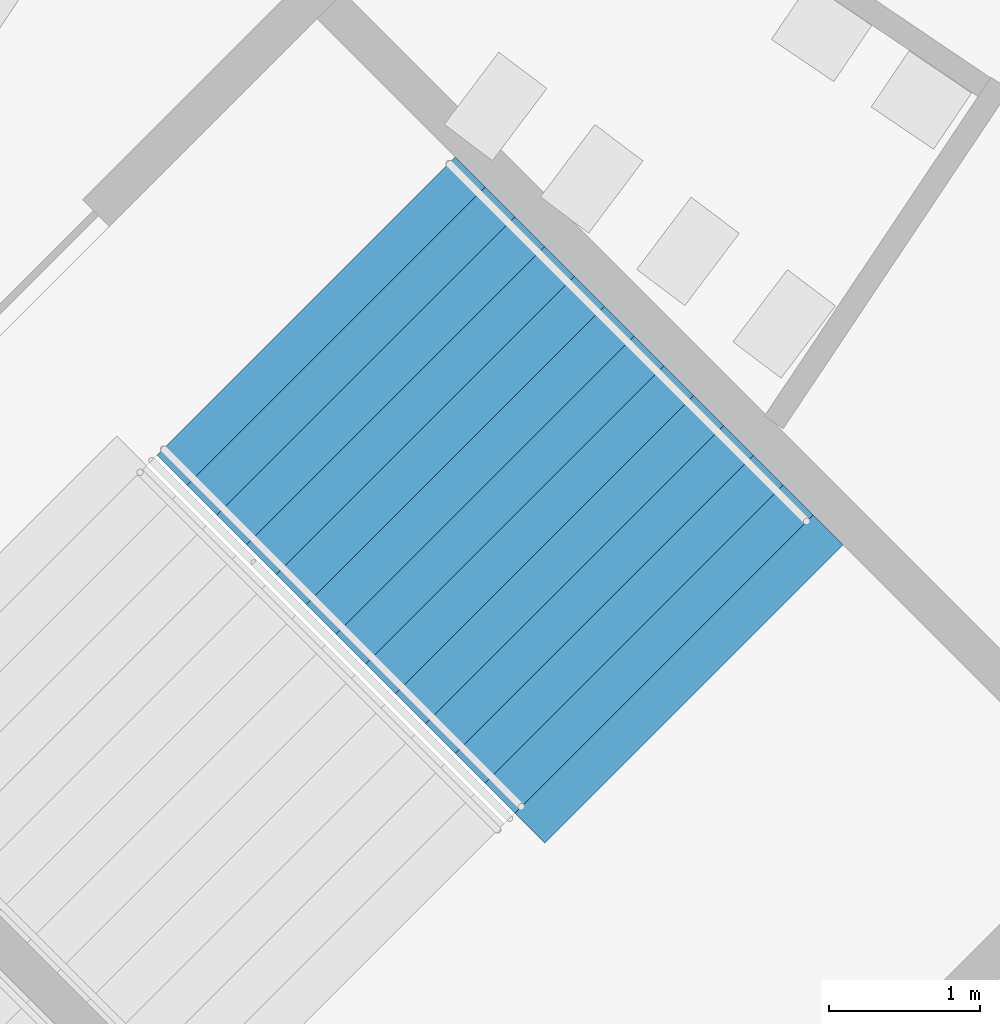
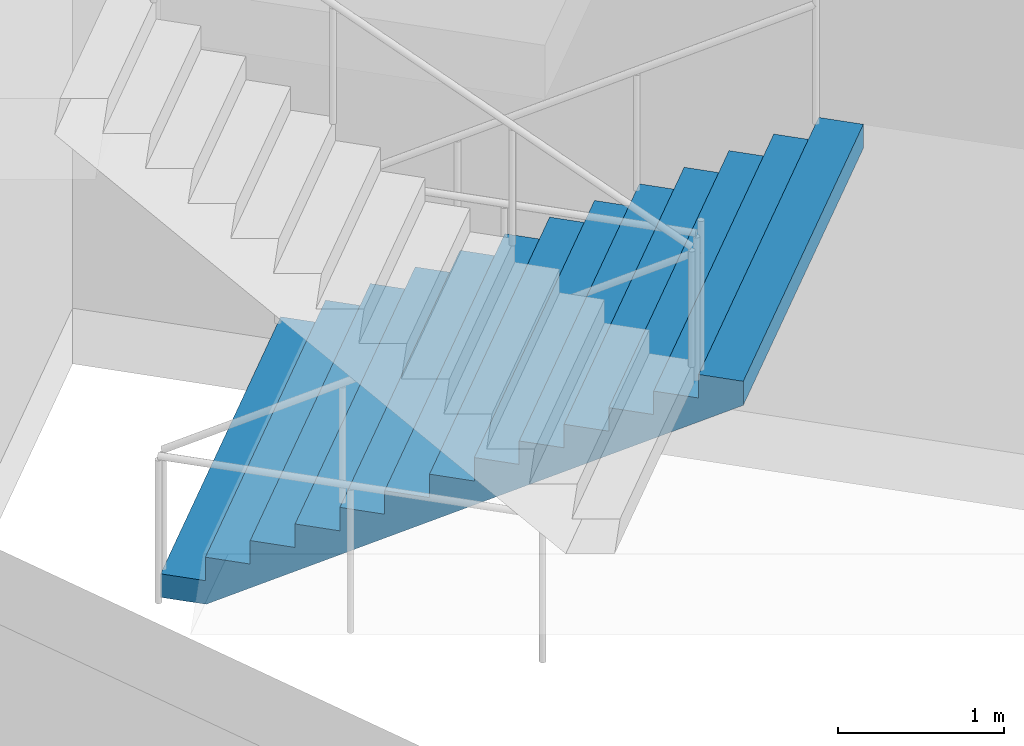
# One storey, part 118 of 177: 1 stair flight, 1 element without a shape of its own.
"""IFC4 building model written with IfcOpenShell, lengths in metres."""

from ifc_helpers import new_model, si_unit, direction, frame, origin, place, context, subcontext, project, spatial, faceted_brep, material, type_object, element, aggregate, save


model = new_model("IFC4")

# Units and contexts
model_context = context("Model", 3, precision=1e-05, world=origin(), true_north=direction((0.0, 1.0)))
body_context = subcontext(model_context, "Body", "Model", "MODEL_VIEW")
ifc_project = project(units=[si_unit("LENGTHUNIT", "METRE"), si_unit("AREAUNIT", "SQUARE_METRE"), si_unit("VOLUMEUNIT", "CUBIC_METRE"), si_unit("PLANEANGLEUNIT", "RADIAN"), si_unit("MASSUNIT", "GRAM", prefix="KILO")], contexts=[model_context])

# Site, building, storey
site_placement = place(None, origin())
site = spatial("IfcSite", under=ifc_project, at=site_placement, CompositionType="ELEMENT")
building_placement = place(site_placement, origin())
building = spatial("IfcBuilding", under=site, at=building_placement, Name="Ogive Plaza Stadium", CompositionType="ELEMENT")
storey_placement = place(building_placement, frame((0.0, 0.0, 18.0)))
storey = spatial("IfcBuildingStorey", under=building, at=storey_placement, Name="L04", CompositionType="ELEMENT", Elevation=18.0)

# Stair, stair flight
ifc_material_1 = material(Name="Concrete C40/50", Category="concrete")
stair_type = type_object("IfcStairType", Name="Exit stair", PredefinedType="STRAIGHT_RUN_STAIR", material=ifc_material_1)
stair_placement = place(storey_placement, origin())
stair = element("IfcStair", 1, at=stair_placement, inside=storey, type_object=stair_type, Name="Exit stair ST10B L04 to L05", PredefinedType="STRAIGHT_RUN_STAIR")
ifc_material_2 = material(Name="Concrete C40/50", Category="concrete")
stair_flight_type = type_object("IfcStairFlightType", Name="Exit stair flight", PredefinedType="STRAIGHT", material=ifc_material_2)
stair_flight_placement = place(storey_placement, frame((67.074951171875, -79.317138671875, 0.0), z_axis=(0.0, 0.0, 1.0), x_axis=(0.707106781187, -0.707106781187, 0.0)))
stair_flight = element("IfcStairFlight", 2, at=stair_flight_placement, type_object=stair_flight_type, Name="ST10B flight 1", NumberOfRisers=13, NumberOfTreads=12, PredefinedType="STRAIGHT", RiserHeight=0.173076923, TreadLength=0.28, context=body_context, shape_type="Brep", body=[
    faceted_brep([(0.28515625, -1.39990234375, 0.0), (3.639892578125, -1.39990234375, 2.07373046875), (3.639892578125, -1.39990234375, 2.25), (3.360107421875, -1.39990234375, 2.25), (3.360107421875, -1.39990234375, 2.076904296875), (3.080078125, -1.39990234375, 2.076904296875), (3.080078125, -1.39990234375, 1.90380859375), (2.800048828125, -1.39990234375, 1.90380859375), (2.800048828125, -1.39990234375, 1.730712890625), (2.52001953125, -1.39990234375, 1.730712890625), (2.52001953125, -1.39990234375, 1.5576171875), (2.239990234375, -1.39990234375, 1.5576171875), (2.239990234375, -1.39990234375, 1.384521484375), (1.9599609375, -1.39990234375, 1.384521484375), (1.9599609375, -1.39990234375, 1.21142578125), (1.679931640625, -1.39990234375, 1.21142578125), (1.679931640625, -1.39990234375, 1.03857421875), (1.39990234375, -1.39990234375, 1.03857421875), (1.39990234375, -1.39990234375, 0.865478515625), (1.1201171875, -1.39990234375, 0.865478515625), (1.1201171875, -1.39990234375, 0.6923828125), (0.840087890625, -1.39990234375, 0.6923828125), (0.840087890625, -1.39990234375, 0.519287109375), (0.56005859375, -1.39990234375, 0.519287109375), (0.56005859375, -1.39990234375, 0.34619140625), (0.280029296875, -1.39990234375, 0.34619140625), (0.280029296875, -1.39990234375, 0.173095703125), (0.0, -1.39990234375, 0.173095703125), (0.0, -1.39990234375, 0.0), (0.0, 1.39990234375, 0.0), (0.0, 1.39990234375, 0.173095703125), (0.280029296875, 1.39990234375, 0.173095703125), (0.280029296875, 1.39990234375, 0.34619140625), (0.56005859375, 1.39990234375, 0.34619140625), (0.56005859375, 1.39990234375, 0.519287109375), (0.840087890625, 1.39990234375, 0.519287109375), (0.840087890625, 1.39990234375, 0.6923828125), (1.1201171875, 1.39990234375, 0.6923828125), (1.1201171875, 1.39990234375, 0.865478515625), (1.39990234375, 1.39990234375, 0.865478515625), (1.39990234375, 1.39990234375, 1.03857421875), (1.679931640625, 1.39990234375, 1.03857421875), (1.679931640625, 1.39990234375, 1.21142578125), (1.9599609375, 1.39990234375, 1.21142578125), (1.9599609375, 1.39990234375, 1.384521484375), (2.239990234375, 1.39990234375, 1.384521484375), (2.239990234375, 1.39990234375, 1.5576171875), (2.52001953125, 1.39990234375, 1.5576171875), (2.52001953125, 1.39990234375, 1.730712890625), (2.800048828125, 1.39990234375, 1.730712890625), (2.800048828125, 1.39990234375, 1.90380859375), (3.080078125, 1.39990234375, 1.90380859375), (3.080078125, 1.39990234375, 2.076904296875), (3.360107421875, 1.39990234375, 2.076904296875), (3.360107421875, 1.39990234375, 2.25), (3.639892578125, 1.39990234375, 2.25), (3.639892578125, 1.39990234375, 2.07373046875), (0.28515625, 1.39990234375, 0.0), (0.28515625, -1.0888671875, 0.0), (3.639892578125, -1.0888671875, 2.07373046875), (0.28515625, -0.77783203125, 0.0), (3.639892578125, -0.77783203125, 2.07373046875), (0.28515625, -0.466796875, 0.0), (3.639892578125, -0.466796875, 2.07373046875), (0.28515625, -0.155517578125, 0.0), (3.639892578125, -0.155517578125, 2.07373046875), (0.28515625, 0.155517578125, 0.0), (3.639892578125, 0.155517578125, 2.07373046875), (0.28515625, 0.466796875, 0.0), (3.639892578125, 0.466796875, 2.07373046875), (0.28515625, 0.77783203125, 0.0), (3.639892578125, 0.77783203125, 2.07373046875), (0.28515625, 1.0888671875, 0.0), (3.639892578125, 1.0888671875, 2.07373046875), (3.639892578125, -1.0888671875, 2.25), (3.639892578125, -0.77783203125, 2.25), (3.639892578125, -0.466796875, 2.25), (3.639892578125, -0.155517578125, 2.25), (3.639892578125, 0.155517578125, 2.25), (3.639892578125, 0.466796875, 2.25), (3.639892578125, 0.77783203125, 2.25), (3.639892578125, 1.0888671875, 2.25), (3.360107421875, -1.0888671875, 2.25), (3.360107421875, -0.77783203125, 2.25), (3.360107421875, -0.466796875, 2.25), (3.360107421875, -0.155517578125, 2.25), (3.360107421875, 0.155517578125, 2.25), (3.360107421875, 0.466796875, 2.25), (3.360107421875, 0.77783203125, 2.25), (3.360107421875, 1.0888671875, 2.25), (3.360107421875, -1.0888671875, 2.076904296875), (3.360107421875, -0.77783203125, 2.076904296875), (3.360107421875, -0.466796875, 2.076904296875), (3.360107421875, -0.155517578125, 2.076904296875), (3.360107421875, 0.155517578125, 2.076904296875), (3.360107421875, 0.466796875, 2.076904296875), (3.360107421875, 0.77783203125, 2.076904296875), (3.360107421875, 1.0888671875, 2.076904296875), (3.080078125, -1.0888671875, 2.076904296875), (3.080078125, -0.77783203125, 2.076904296875), (3.080078125, -0.466796875, 2.076904296875), (3.080078125, -0.155517578125, 2.076904296875), (3.080078125, 0.155517578125, 2.076904296875), (3.080078125, 0.466796875, 2.076904296875), (3.080078125, 0.77783203125, 2.076904296875), (3.080078125, 1.0888671875, 2.076904296875), (3.080078125, -1.0888671875, 1.90380859375), (3.080078125, -0.77783203125, 1.90380859375), (3.080078125, -0.466796875, 1.90380859375), (3.080078125, -0.155517578125, 1.90380859375), (3.080078125, 0.155517578125, 1.90380859375), (3.080078125, 0.466796875, 1.90380859375), (3.080078125, 0.77783203125, 1.90380859375), (3.080078125, 1.0888671875, 1.90380859375), (2.800048828125, -1.0888671875, 1.90380859375), (2.800048828125, -0.77783203125, 1.90380859375), (2.800048828125, -0.466796875, 1.90380859375), (2.800048828125, -0.155517578125, 1.90380859375), (2.800048828125, 0.155517578125, 1.90380859375), (2.800048828125, 0.466796875, 1.90380859375), (2.800048828125, 0.77783203125, 1.90380859375), (2.800048828125, 1.0888671875, 1.90380859375), (2.800048828125, -1.0888671875, 1.730712890625), (2.800048828125, -0.77783203125, 1.730712890625), (2.800048828125, -0.466796875, 1.730712890625), (2.800048828125, -0.155517578125, 1.730712890625), (2.800048828125, 0.155517578125, 1.730712890625), (2.800048828125, 0.466796875, 1.730712890625), (2.800048828125, 0.77783203125, 1.730712890625), (2.800048828125, 1.0888671875, 1.730712890625), (2.52001953125, -1.0888671875, 1.730712890625), (2.52001953125, -0.77783203125, 1.730712890625), (2.52001953125, -0.466796875, 1.730712890625), (2.52001953125, -0.155517578125, 1.730712890625), (2.52001953125, 0.155517578125, 1.730712890625), (2.52001953125, 0.466796875, 1.730712890625), (2.52001953125, 0.77783203125, 1.730712890625), (2.52001953125, 1.0888671875, 1.730712890625), (2.52001953125, -1.0888671875, 1.5576171875), (2.52001953125, -0.77783203125, 1.5576171875), (2.52001953125, -0.466796875, 1.5576171875), (2.52001953125, -0.155517578125, 1.5576171875), (2.52001953125, 0.155517578125, 1.5576171875), (2.52001953125, 0.466796875, 1.5576171875), (2.52001953125, 0.77783203125, 1.5576171875), (2.52001953125, 1.0888671875, 1.5576171875), (2.239990234375, -1.0888671875, 1.5576171875), (2.239990234375, -0.77783203125, 1.5576171875), (2.239990234375, -0.466796875, 1.5576171875), (2.239990234375, -0.155517578125, 1.5576171875), (2.239990234375, 0.155517578125, 1.5576171875), (2.239990234375, 0.466796875, 1.5576171875), (2.239990234375, 0.77783203125, 1.5576171875), (2.239990234375, 1.0888671875, 1.5576171875), (2.239990234375, -1.0888671875, 1.384521484375), (2.239990234375, -0.77783203125, 1.384521484375), (2.239990234375, -0.466796875, 1.384521484375), (2.239990234375, -0.155517578125, 1.384521484375), (2.239990234375, 0.155517578125, 1.384521484375), (2.239990234375, 0.466796875, 1.384521484375), (2.239990234375, 0.77783203125, 1.384521484375), (2.239990234375, 1.0888671875, 1.384521484375), (1.9599609375, -1.0888671875, 1.384521484375), (1.9599609375, -0.77783203125, 1.384521484375), (1.9599609375, -0.466796875, 1.384521484375), (1.9599609375, -0.155517578125, 1.384521484375), (1.9599609375, 0.155517578125, 1.384521484375), (1.9599609375, 0.466796875, 1.384521484375), (1.9599609375, 0.77783203125, 1.384521484375), (1.9599609375, 1.0888671875, 1.384521484375), (1.9599609375, -1.0888671875, 1.21142578125), (1.9599609375, -0.77783203125, 1.21142578125), (1.9599609375, -0.466796875, 1.21142578125), (1.9599609375, -0.155517578125, 1.21142578125), (1.9599609375, 0.155517578125, 1.21142578125), (1.9599609375, 0.466796875, 1.21142578125), (1.9599609375, 0.77783203125, 1.21142578125), (1.9599609375, 1.0888671875, 1.21142578125), (1.679931640625, -1.0888671875, 1.21142578125), (1.679931640625, -0.77783203125, 1.21142578125), (1.679931640625, -0.466796875, 1.21142578125), (1.679931640625, -0.155517578125, 1.21142578125), (1.679931640625, 0.155517578125, 1.21142578125), (1.679931640625, 0.466796875, 1.21142578125), (1.679931640625, 0.77783203125, 1.21142578125), (1.679931640625, 1.0888671875, 1.21142578125), (1.679931640625, -1.0888671875, 1.03857421875), (1.679931640625, -0.77783203125, 1.03857421875), (1.679931640625, -0.466796875, 1.03857421875), (1.679931640625, -0.155517578125, 1.03857421875), (1.679931640625, 0.155517578125, 1.03857421875), (1.679931640625, 0.466796875, 1.03857421875), (1.679931640625, 0.77783203125, 1.03857421875), (1.679931640625, 1.0888671875, 1.03857421875), (1.39990234375, -1.0888671875, 1.03857421875), (1.39990234375, -0.77783203125, 1.03857421875), (1.39990234375, -0.466796875, 1.03857421875), (1.39990234375, -0.155517578125, 1.03857421875), (1.39990234375, 0.155517578125, 1.03857421875), (1.39990234375, 0.466796875, 1.03857421875), (1.39990234375, 0.77783203125, 1.03857421875), (1.39990234375, 1.0888671875, 1.03857421875), (1.39990234375, -1.0888671875, 0.865478515625), (1.39990234375, -0.77783203125, 0.865478515625), (1.39990234375, -0.466796875, 0.865478515625), (1.39990234375, -0.155517578125, 0.865478515625), (1.39990234375, 0.155517578125, 0.865478515625), (1.39990234375, 0.466796875, 0.865478515625), (1.39990234375, 0.77783203125, 0.865478515625), (1.39990234375, 1.0888671875, 0.865478515625), (1.1201171875, -1.0888671875, 0.865478515625), (1.1201171875, -0.77783203125, 0.865478515625), (1.1201171875, -0.466796875, 0.865478515625), (1.1201171875, -0.155517578125, 0.865478515625), (1.1201171875, 0.155517578125, 0.865478515625), (1.1201171875, 0.466796875, 0.865478515625), (1.1201171875, 0.77783203125, 0.865478515625), (1.1201171875, 1.0888671875, 0.865478515625), (1.1201171875, -1.0888671875, 0.6923828125), (1.1201171875, -0.77783203125, 0.6923828125), (1.1201171875, -0.466796875, 0.6923828125), (1.1201171875, -0.155517578125, 0.6923828125), (1.1201171875, 0.155517578125, 0.6923828125), (1.1201171875, 0.466796875, 0.6923828125), (1.1201171875, 0.77783203125, 0.6923828125), (1.1201171875, 1.0888671875, 0.6923828125), (0.840087890625, -1.0888671875, 0.6923828125), (0.840087890625, -0.77783203125, 0.6923828125), (0.840087890625, -0.466796875, 0.6923828125), (0.840087890625, -0.155517578125, 0.6923828125), (0.840087890625, 0.155517578125, 0.6923828125), (0.840087890625, 0.466796875, 0.6923828125), (0.840087890625, 0.77783203125, 0.6923828125), (0.840087890625, 1.0888671875, 0.6923828125), (0.840087890625, -1.0888671875, 0.519287109375), (0.840087890625, -0.77783203125, 0.519287109375), (0.840087890625, -0.466796875, 0.519287109375), (0.840087890625, -0.155517578125, 0.519287109375), (0.840087890625, 0.155517578125, 0.519287109375), (0.840087890625, 0.466796875, 0.519287109375), (0.840087890625, 0.77783203125, 0.519287109375), (0.840087890625, 1.0888671875, 0.519287109375), (0.56005859375, -1.0888671875, 0.519287109375), (0.56005859375, -0.77783203125, 0.519287109375), (0.56005859375, -0.466796875, 0.519287109375), (0.56005859375, -0.155517578125, 0.519287109375), (0.56005859375, 0.155517578125, 0.519287109375), (0.56005859375, 0.466796875, 0.519287109375), (0.56005859375, 0.77783203125, 0.519287109375), (0.56005859375, 1.0888671875, 0.519287109375), (0.56005859375, -1.0888671875, 0.34619140625), (0.56005859375, -0.77783203125, 0.34619140625), (0.56005859375, -0.466796875, 0.34619140625), (0.56005859375, -0.155517578125, 0.34619140625), (0.56005859375, 0.155517578125, 0.34619140625), (0.56005859375, 0.466796875, 0.34619140625), (0.56005859375, 0.77783203125, 0.34619140625), (0.56005859375, 1.0888671875, 0.34619140625), (0.280029296875, -1.0888671875, 0.34619140625), (0.280029296875, -0.77783203125, 0.34619140625), (0.280029296875, -0.466796875, 0.34619140625), (0.280029296875, -0.155517578125, 0.34619140625), (0.280029296875, 0.155517578125, 0.34619140625), (0.280029296875, 0.466796875, 0.34619140625), (0.280029296875, 0.77783203125, 0.34619140625), (0.280029296875, 1.0888671875, 0.34619140625), (0.280029296875, -1.0888671875, 0.173095703125), (0.280029296875, -0.77783203125, 0.173095703125), (0.280029296875, -0.466796875, 0.173095703125), (0.280029296875, -0.155517578125, 0.173095703125), (0.280029296875, 0.155517578125, 0.173095703125), (0.280029296875, 0.466796875, 0.173095703125), (0.280029296875, 0.77783203125, 0.173095703125), (0.280029296875, 1.0888671875, 0.173095703125), (0.0, -1.0888671875, 0.173095703125), (0.0, -0.77783203125, 0.173095703125), (0.0, -0.466796875, 0.173095703125), (0.0, -0.155517578125, 0.173095703125), (0.0, 0.155517578125, 0.173095703125), (0.0, 0.466796875, 0.173095703125), (0.0, 0.77783203125, 0.173095703125), (0.0, 1.0888671875, 0.173095703125), (0.0, -1.0888671875, 0.0), (0.0, -0.77783203125, 0.0), (0.0, -0.466796875, 0.0), (0.0, -0.155517578125, 0.0), (0.0, 0.155517578125, 0.0), (0.0, 0.466796875, 0.0), (0.0, 0.77783203125, 0.0), (0.0, 1.0888671875, 0.0)], [[[0, 1, 2, 3, 4, 5, 6, 7, 8, 9, 10, 11, 12, 13, 14, 15, 16, 17, 18, 19, 20, 21, 22, 23, 24, 25, 26, 27, 28]], [[29, 30, 31, 32, 33, 34, 35, 36, 37, 38, 39, 40, 41, 42, 43, 44, 45, 46, 47, 48, 49, 50, 51, 52, 53, 54, 55, 56, 57]], [[0, 58, 59, 1]], [[58, 60, 61, 59]], [[60, 62, 63, 61]], [[62, 64, 65, 63]], [[64, 66, 67, 65]], [[66, 68, 69, 67]], [[68, 70, 71, 69]], [[70, 72, 73, 71]], [[72, 57, 56, 73]], [[1, 59, 74, 2]], [[59, 61, 75, 74]], [[61, 63, 76, 75]], [[63, 65, 77, 76]], [[65, 67, 78, 77]], [[67, 69, 79, 78]], [[69, 71, 80, 79]], [[71, 73, 81, 80]], [[73, 56, 55, 81]], [[2, 74, 82, 3]], [[74, 75, 83, 82]], [[75, 76, 84, 83]], [[76, 77, 85, 84]], [[77, 78, 86, 85]], [[78, 79, 87, 86]], [[79, 80, 88, 87]], [[80, 81, 89, 88]], [[81, 55, 54, 89]], [[3, 82, 90, 4]], [[82, 83, 91, 90]], [[83, 84, 92, 91]], [[84, 85, 93, 92]], [[85, 86, 94, 93]], [[86, 87, 95, 94]], [[87, 88, 96, 95]], [[88, 89, 97, 96]], [[89, 54, 53, 97]], [[4, 90, 98, 5]], [[90, 91, 99, 98]], [[91, 92, 100, 99]], [[92, 93, 101, 100]], [[93, 94, 102, 101]], [[94, 95, 103, 102]], [[95, 96, 104, 103]], [[96, 97, 105, 104]], [[97, 53, 52, 105]], [[5, 98, 106, 6]], [[98, 99, 107, 106]], [[99, 100, 108, 107]], [[100, 101, 109, 108]], [[101, 102, 110, 109]], [[102, 103, 111, 110]], [[103, 104, 112, 111]], [[104, 105, 113, 112]], [[105, 52, 51, 113]], [[6, 106, 114, 7]], [[106, 107, 115, 114]], [[107, 108, 116, 115]], [[108, 109, 117, 116]], [[109, 110, 118, 117]], [[110, 111, 119, 118]], [[111, 112, 120, 119]], [[112, 113, 121, 120]], [[113, 51, 50, 121]], [[7, 114, 122, 8]], [[114, 115, 123, 122]], [[115, 116, 124, 123]], [[116, 117, 125, 124]], [[117, 118, 126, 125]], [[118, 119, 127, 126]], [[119, 120, 128, 127]], [[120, 121, 129, 128]], [[121, 50, 49, 129]], [[8, 122, 130, 9]], [[122, 123, 131, 130]], [[123, 124, 132, 131]], [[124, 125, 133, 132]], [[125, 126, 134, 133]], [[126, 127, 135, 134]], [[127, 128, 136, 135]], [[128, 129, 137, 136]], [[129, 49, 48, 137]], [[9, 130, 138, 10]], [[130, 131, 139, 138]], [[131, 132, 140, 139]], [[132, 133, 141, 140]], [[133, 134, 142, 141]], [[134, 135, 143, 142]], [[135, 136, 144, 143]], [[136, 137, 145, 144]], [[137, 48, 47, 145]], [[10, 138, 146, 11]], [[138, 139, 147, 146]], [[139, 140, 148, 147]], [[140, 141, 149, 148]], [[141, 142, 150, 149]], [[142, 143, 151, 150]], [[143, 144, 152, 151]], [[144, 145, 153, 152]], [[145, 47, 46, 153]], [[11, 146, 154, 12]], [[146, 147, 155, 154]], [[147, 148, 156, 155]], [[148, 149, 157, 156]], [[149, 150, 158, 157]], [[150, 151, 159, 158]], [[151, 152, 160, 159]], [[152, 153, 161, 160]], [[153, 46, 45, 161]], [[12, 154, 162, 13]], [[154, 155, 163, 162]], [[155, 156, 164, 163]], [[156, 157, 165, 164]], [[157, 158, 166, 165]], [[158, 159, 167, 166]], [[159, 160, 168, 167]], [[160, 161, 169, 168]], [[161, 45, 44, 169]], [[13, 162, 170, 14]], [[162, 163, 171, 170]], [[163, 164, 172, 171]], [[164, 165, 173, 172]], [[165, 166, 174, 173]], [[166, 167, 175, 174]], [[167, 168, 176, 175]], [[168, 169, 177, 176]], [[169, 44, 43, 177]], [[14, 170, 178, 15]], [[170, 171, 179, 178]], [[171, 172, 180, 179]], [[172, 173, 181, 180]], [[173, 174, 182, 181]], [[174, 175, 183, 182]], [[175, 176, 184, 183]], [[176, 177, 185, 184]], [[177, 43, 42, 185]], [[15, 178, 186, 16]], [[178, 179, 187, 186]], [[179, 180, 188, 187]], [[180, 181, 189, 188]], [[181, 182, 190, 189]], [[182, 183, 191, 190]], [[183, 184, 192, 191]], [[184, 185, 193, 192]], [[185, 42, 41, 193]], [[16, 186, 194, 17]], [[186, 187, 195, 194]], [[187, 188, 196, 195]], [[188, 189, 197, 196]], [[189, 190, 198, 197]], [[190, 191, 199, 198]], [[191, 192, 200, 199]], [[192, 193, 201, 200]], [[193, 41, 40, 201]], [[17, 194, 202, 18]], [[194, 195, 203, 202]], [[195, 196, 204, 203]], [[196, 197, 205, 204]], [[197, 198, 206, 205]], [[198, 199, 207, 206]], [[199, 200, 208, 207]], [[200, 201, 209, 208]], [[201, 40, 39, 209]], [[18, 202, 210, 19]], [[202, 203, 211, 210]], [[203, 204, 212, 211]], [[204, 205, 213, 212]], [[205, 206, 214, 213]], [[206, 207, 215, 214]], [[207, 208, 216, 215]], [[208, 209, 217, 216]], [[209, 39, 38, 217]], [[19, 210, 218, 20]], [[210, 211, 219, 218]], [[211, 212, 220, 219]], [[212, 213, 221, 220]], [[213, 214, 222, 221]], [[214, 215, 223, 222]], [[215, 216, 224, 223]], [[216, 217, 225, 224]], [[217, 38, 37, 225]], [[20, 218, 226, 21]], [[218, 219, 227, 226]], [[219, 220, 228, 227]], [[220, 221, 229, 228]], [[221, 222, 230, 229]], [[222, 223, 231, 230]], [[223, 224, 232, 231]], [[224, 225, 233, 232]], [[225, 37, 36, 233]], [[21, 226, 234, 22]], [[226, 227, 235, 234]], [[227, 228, 236, 235]], [[228, 229, 237, 236]], [[229, 230, 238, 237]], [[230, 231, 239, 238]], [[231, 232, 240, 239]], [[232, 233, 241, 240]], [[233, 36, 35, 241]], [[22, 234, 242, 23]], [[234, 235, 243, 242]], [[235, 236, 244, 243]], [[236, 237, 245, 244]], [[237, 238, 246, 245]], [[238, 239, 247, 246]], [[239, 240, 248, 247]], [[240, 241, 249, 248]], [[241, 35, 34, 249]], [[23, 242, 250, 24]], [[242, 243, 251, 250]], [[243, 244, 252, 251]], [[244, 245, 253, 252]], [[245, 246, 254, 253]], [[246, 247, 255, 254]], [[247, 248, 256, 255]], [[248, 249, 257, 256]], [[249, 34, 33, 257]], [[24, 250, 258, 25]], [[250, 251, 259, 258]], [[251, 252, 260, 259]], [[252, 253, 261, 260]], [[253, 254, 262, 261]], [[254, 255, 263, 262]], [[255, 256, 264, 263]], [[256, 257, 265, 264]], [[257, 33, 32, 265]], [[25, 258, 266, 26]], [[258, 259, 267, 266]], [[259, 260, 268, 267]], [[260, 261, 269, 268]], [[261, 262, 270, 269]], [[262, 263, 271, 270]], [[263, 264, 272, 271]], [[264, 265, 273, 272]], [[265, 32, 31, 273]], [[26, 266, 274, 27]], [[266, 267, 275, 274]], [[267, 268, 276, 275]], [[268, 269, 277, 276]], [[269, 270, 278, 277]], [[270, 271, 279, 278]], [[271, 272, 280, 279]], [[272, 273, 281, 280]], [[273, 31, 30, 281]], [[27, 274, 282, 28]], [[274, 275, 283, 282]], [[275, 276, 284, 283]], [[276, 277, 285, 284]], [[277, 278, 286, 285]], [[278, 279, 287, 286]], [[279, 280, 288, 287]], [[280, 281, 289, 288]], [[281, 30, 29, 289]], [[28, 282, 58, 0]], [[282, 283, 60, 58]], [[283, 284, 62, 60]], [[284, 285, 64, 62]], [[285, 286, 66, 64]], [[286, 287, 68, 66]], [[287, 288, 70, 68]], [[288, 289, 72, 70]], [[289, 29, 57, 72]]]),
])
aggregate(stair, [stair_flight])

save(model, "model.ifc")
